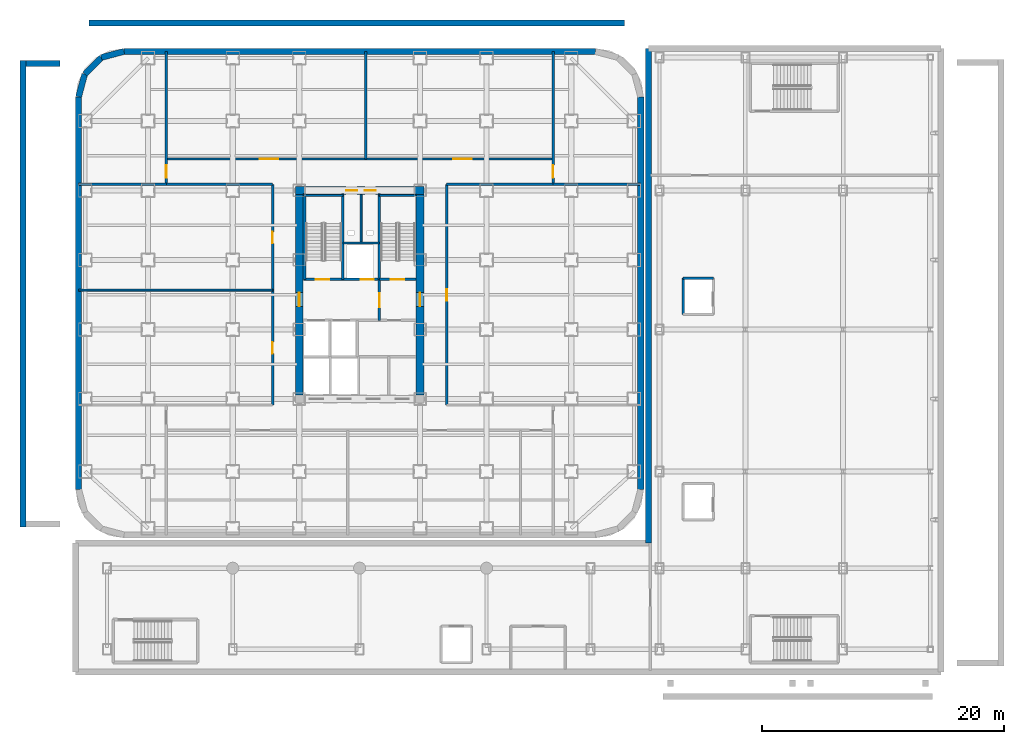
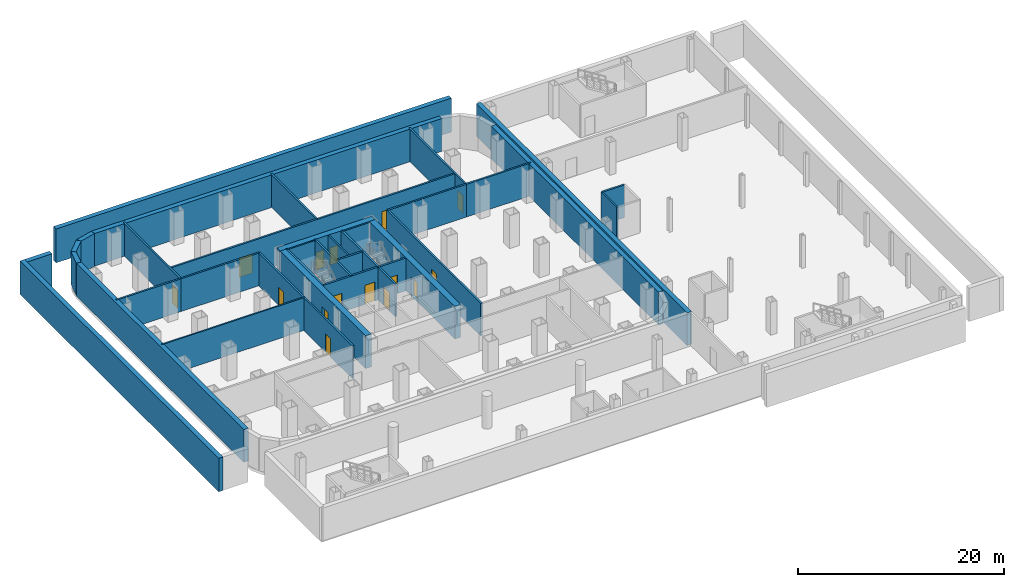
# One storey, part 9 of 16: 36 walls, 15 doors, 15 openings.
"""IFC4 building model written with IfcOpenShell, lengths in metres."""

from ifc_helpers import new_model, si_unit, direction, frame, frame_2d, origin, place, context, subcontext, project, spatial, rectangle, extrude, material, layer, layer_set, type_object, element, fill, save


model = new_model("IFC4")

# Units and contexts
model_context = context("Model", 3, precision=1e-05, world=origin(), true_north=direction((0.0, 1.0)))
body_context = subcontext(model_context, "Body", "Model", "MODEL_VIEW")
ifc_project = project(units=[si_unit("LENGTHUNIT", "METRE"), si_unit("AREAUNIT", "SQUARE_METRE"), si_unit("VOLUMEUNIT", "CUBIC_METRE"), si_unit("PLANEANGLEUNIT", "RADIAN"), si_unit("MASSUNIT", "GRAM", prefix="KILO")], contexts=[model_context])

# Site, building, storey
site_placement = place(None, origin())
site = spatial("IfcSite", under=ifc_project, at=site_placement, CompositionType="ELEMENT")
building_placement = place(site_placement, origin())
building = spatial("IfcBuilding", under=site, at=building_placement, Name="Kolveth Station Tower", CompositionType="ELEMENT")
storey_placement = place(building_placement, frame((0.0, 0.0, -4.199951171875)))
storey = spatial("IfcBuildingStorey", under=building, at=storey_placement, Name="B1", CompositionType="ELEMENT", Elevation=-4.199951171875)

# Wall, openings, doors
ifc_material_1 = material(Name="Concrete C60/75", Category="concrete")
ifc_layer_1 = layer(ifc_material_1, 0.64990234375)
ifc_layer_set_1 = layer_set([ifc_layer_1], Name="Concrete C60/75")
wall_type_1 = type_object("IfcWallType", Name="Wall_CW-650", PredefinedType="SHEAR", material=ifc_layer_set_1)
wall_1_placement = place(storey_placement, frame((18.175048828125, 28.75, 0.0), z_axis=(0.0, 0.0, 1.0), x_axis=(1.0, 0.0, 0.0)))
wall_1 = element("IfcWall", 1, at=wall_1_placement, inside=storey, type_object=wall_type_1, Name="B1 Core RC Shear Wall N", PredefinedType="SHEAR", context=body_context, shape_type="SweptSolid", body=[
    extrude(rectangle(XDim=10.64990234375, YDim=0.64990234375, at=frame_2d((5.324951171875, 0.0))), origin(), (0.0, 0.0, 1.0), 3.8798828125),
])
opening_1_placement = place(wall_1_placement, frame((4.205078125, 0.0, 0.0)))
opening_1 = element("IfcOpeningElement", 2, at=opening_1_placement, cuts=wall_1, Name="Opening RD1", PredefinedType="OPENING", context=body_context, shape_type="SweptSolid", body=[
    extrude(rectangle(XDim=0.89990234375, YDim=2.050048828125, at=frame_2d((0.449951171875, 1.02490234375))), frame((0.0, 0.3349609375, 0.0), z_axis=(0.0, -1.0, 0.0), x_axis=(1.0, 0.0, 0.0)), (0.0, 0.0, 1.0), 0.669921875),
])
opening_2_placement = place(wall_1_placement, frame((5.7451171875, 0.0, 0.0)))
opening_2 = element("IfcOpeningElement", 3, at=opening_2_placement, cuts=wall_1, Name="Opening RD1", PredefinedType="OPENING", context=body_context, shape_type="SweptSolid", body=[
    extrude(rectangle(XDim=0.89990234375, YDim=2.050048828125, at=frame_2d((0.449951171875, 1.02490234375))), frame((0.0, 0.3349609375, 0.0), z_axis=(0.0, -1.0, 0.0), x_axis=(1.0, 0.0, 0.0)), (0.0, 0.0, 1.0), 0.669921875),
])
ifc_material_2 = material(Name="Fire-rated Steel S355 riser access leaf", Category="steel")
door_type_1 = type_object("IfcDoorType", Name="Door_RD1", OperationType="NOTDEFINED", PredefinedType="DOOR", material=ifc_material_2)
door_1_placement = place(opening_1_placement, origin())
door_1 = element("IfcDoor", 4, at=door_1_placement, inside=storey, type_object=door_type_1, Name="B1 Electrical Riser Access Door", OperationType="SINGLE_SWING_RIGHT", OverallHeight=2.050048828125, OverallWidth=0.89990234375, PredefinedType="DOOR", context=body_context, shape_type="SweptSolid", body=[
    extrude(rectangle(XDim=0.89990234375, YDim=2.050048828125, at=frame_2d((0.449951171875, 1.02490234375))), frame((0.0, 0.02490234375, 0.0), z_axis=(0.0, -1.0, 0.0), x_axis=(1.0, 0.0, 0.0)), (0.0, 0.0, 1.0), 0.050048828125),
])
fill(opening_1, door_1)
door_2_placement = place(opening_2_placement, origin())
door_2 = element("IfcDoor", 5, at=door_2_placement, inside=storey, type_object=door_type_1, Name="B1 Smoke Duct Access Door", OperationType="SINGLE_SWING_LEFT", OverallHeight=2.050048828125, OverallWidth=0.89990234375, PredefinedType="DOOR", context=body_context, shape_type="SweptSolid", body=[
    extrude(rectangle(XDim=0.89990234375, YDim=2.050048828125, at=frame_2d((0.449951171875, 1.02490234375))), frame((0.0, 0.02490234375, 0.0), z_axis=(0.0, -1.0, 0.0), x_axis=(1.0, 0.0, 0.0)), (0.0, 0.0, 1.0), 0.050048828125),
])
fill(opening_2, door_2)

# Wall, opening, door
wall_2_placement = place(storey_placement, frame((18.5, 11.824951171875, 0.0), z_axis=(0.0, 0.0, 1.0), x_axis=(0.0, 1.0, 0.0)))
wall_2 = element("IfcWall", 6, at=wall_2_placement, inside=storey, type_object=wall_type_1, Name="B1 Core RC Shear Wall W", PredefinedType="SHEAR", context=body_context, shape_type="SweptSolid", body=[
    extrude(rectangle(XDim=16.60009765625, YDim=0.64990234375, at=frame_2d((8.300048828125, 0.0))), origin(), (0.0, 0.0, 1.0), 3.8798828125),
])
opening_3_placement = place(wall_2_placement, frame((7.324951171875, 0.0, 0.0)))
opening_3 = element("IfcOpeningElement", 7, at=opening_3_placement, cuts=wall_2, Name="Opening FD1", PredefinedType="OPENING", context=body_context, shape_type="SweptSolid", body=[
    extrude(rectangle(XDim=1.14990234375, YDim=2.199951171875, at=frame_2d((0.574951171875, 1.10009765625))), frame((0.0, 0.3349609375, 0.0), z_axis=(0.0, -1.0, 0.0), x_axis=(1.0, 0.0, 0.0)), (0.0, 0.0, 1.0), 0.669921875),
])
ifc_material_3 = material(Name="Fire-rated Steel S355 leaf and frame", Category="steel")
door_type_2 = type_object("IfcDoorType", Name="Door_FD1", OperationType="NOTDEFINED", PredefinedType="DOOR", material=ifc_material_3)
door_3_placement = place(opening_3_placement, frame((1.14990234375, 0.0, 0.0), z_axis=(0.0, 0.0, 1.0), x_axis=(-1.0, 0.0, 0.0)))
door_3 = element("IfcDoor", 8, at=door_3_placement, inside=storey, type_object=door_type_2, Name="B1 West Corridor to Firefighting Lobby Door", OperationType="SINGLE_SWING_RIGHT", OverallHeight=2.199951171875, OverallWidth=1.14990234375, PredefinedType="DOOR", context=body_context, shape_type="SweptSolid", body=[
    extrude(rectangle(XDim=1.14990234375, YDim=2.199951171875, at=frame_2d((0.574951171875, 1.10009765625))), frame((0.0, 0.02490234375, 0.0), z_axis=(0.0, -1.0, 0.0), x_axis=(1.0, 0.0, 0.0)), (0.0, 0.0, 1.0), 0.050048828125),
])
fill(opening_3, door_3)

wall_3_placement = place(storey_placement, frame((28.5, 11.824951171875, 0.0), z_axis=(0.0, 0.0, 1.0), x_axis=(0.0, 1.0, 0.0)))
wall_3 = element("IfcWall", 9, at=wall_3_placement, inside=storey, type_object=wall_type_1, Name="B1 Core RC Shear Wall E", PredefinedType="SHEAR", context=body_context, shape_type="SweptSolid", body=[
    extrude(rectangle(XDim=16.60009765625, YDim=0.64990234375, at=frame_2d((8.300048828125, 0.0))), origin(), (0.0, 0.0, 1.0), 3.8798828125),
])
opening_4_placement = place(wall_3_placement, frame((7.324951171875, 0.0, 0.0)))
opening_4 = element("IfcOpeningElement", 10, at=opening_4_placement, cuts=wall_3, Name="Opening FD1", PredefinedType="OPENING", context=body_context, shape_type="SweptSolid", body=[
    extrude(rectangle(XDim=1.14990234375, YDim=2.199951171875, at=frame_2d((0.574951171875, 1.10009765625))), frame((0.0, 0.3349609375, 0.0), z_axis=(0.0, -1.0, 0.0), x_axis=(1.0, 0.0, 0.0)), (0.0, 0.0, 1.0), 0.669921875),
])
door_4_placement = place(opening_4_placement, origin())
door_4 = element("IfcDoor", 11, at=door_4_placement, inside=storey, type_object=door_type_2, Name="B1 East Corridor to Stair Lobby Door", OperationType="SINGLE_SWING_LEFT", OverallHeight=2.199951171875, OverallWidth=1.14990234375, PredefinedType="DOOR", context=body_context, shape_type="SweptSolid", body=[
    extrude(rectangle(XDim=1.14990234375, YDim=2.199951171875, at=frame_2d((0.574951171875, 1.10009765625))), frame((0.0, 0.02490234375, 0.0), z_axis=(0.0, -1.0, 0.0), x_axis=(1.0, 0.0, 0.0)), (0.0, 0.0, 1.0), 0.050048828125),
])
fill(opening_4, door_4)

# Walls
ifc_material_4 = material(Name="Acoustic double-stud gypsum partition")
ifc_layer_2 = layer(ifc_material_4, 0.1650390625)
ifc_layer_set_2 = layer_set([ifc_layer_2], Name="Acoustic double-stud gypsum partition")
wall_type_2 = type_object("IfcWallType", Name="Wall_IW-165", PredefinedType="PARTITIONING", material=ifc_layer_set_2)
wall_4_placement = place(storey_placement, frame((18.8349609375, 28.3349609375, 0.0), z_axis=(0.0, 0.0, 1.0), x_axis=(1.0, 0.0, 0.0)))
element("IfcWall", 12, at=wall_4_placement, inside=storey, type_object=wall_type_2, Name="B1 Stair Shaft Wall WL-B1-ST1-N", PredefinedType="PARTITIONING", context=body_context, shape_type="SweptSolid", body=[
    extrude(rectangle(XDim=3.275146484375, YDim=0.1650390625, at=frame_2d((1.6376953125, 0.0))), origin(), (0.0, 0.0, 1.0), 3.8798828125),
])
wall_5_placement = place(storey_placement, frame((25.1298828125, 28.3349609375, 0.0), z_axis=(0.0, 0.0, 1.0), x_axis=(1.0, 0.0, 0.0)))
element("IfcWall", 13, at=wall_5_placement, inside=storey, type_object=wall_type_2, Name="B1 Stair Shaft Wall WL-B1-ST2-N", PredefinedType="PARTITIONING", context=body_context, shape_type="SweptSolid", body=[
    extrude(rectangle(XDim=3.03515625, YDim=0.1650390625, at=frame_2d((1.517578125, 0.0))), origin(), (0.0, 0.0, 1.0), 3.8798828125),
])
wall_6_placement = place(storey_placement, frame((23.6201171875, 24.39990234375, 0.0), z_axis=(0.0, 0.0, 1.0), x_axis=(0.0, 1.0, 0.0)))
element("IfcWall", 14, at=wall_6_placement, inside=storey, type_object=wall_type_2, Name="B1 Partition Wall WL-B1-RSR-M", PredefinedType="PARTITIONING", context=body_context, shape_type="SweptSolid", body=[
    extrude(rectangle(XDim=4.01513671875, YDim=0.1650390625, at=frame_2d((2.007568359375, 0.0))), origin(), (0.0, 0.0, 1.0), 3.8798828125),
])
wall_7_placement = place(storey_placement, frame((0.25, 20.5, 0.0), z_axis=(0.0, 0.0, 1.0), x_axis=(1.0, 0.0, 0.0)))
element("IfcWall", 15, at=wall_7_placement, inside=storey, type_object=wall_type_2, Name="B1 Partition Wall WL-B1-TPW-P1", PredefinedType="PARTITIONING", context=body_context, shape_type="SweptSolid", body=[
    extrude(rectangle(XDim=16.050048828125, YDim=0.1650390625, at=frame_2d((8.02490234375, 0.0))), origin(), (0.0, 0.0, 1.0), 3.8798828125),
])
ifc_material_5 = material(Name="Acoustic fire-rated gypsum blockwork", Category="masonry")
ifc_layer_3 = layer(ifc_material_5, 0.199951171875)
ifc_layer_set_3 = layer_set([ifc_layer_3], Name="Acoustic fire-rated gypsum blockwork")
wall_type_3 = type_object("IfcWallType", Name="Wall_IW-200", PredefinedType="PARTITIONING", material=ifc_layer_set_3)
wall_8_placement = place(storey_placement, frame((22.110107421875, 24.39990234375, 0.0), z_axis=(0.0, 0.0, 1.0), x_axis=(1.0, 0.0, 0.0)))
element("IfcWall", 16, at=wall_8_placement, inside=storey, type_object=wall_type_3, Name="B1 Partition Wall WL-B1-RSR-S", PredefinedType="PARTITIONING", context=body_context, shape_type="SweptSolid", body=[
    extrude(rectangle(XDim=3.019775390625, YDim=0.199951171875, at=frame_2d((1.509765625, 0.0))), origin(), (0.0, 0.0, 1.0), 3.8798828125),
])

# Wall, opening, door
wall_9_placement = place(storey_placement, frame((25.1298828125, 18.0, 0.0), z_axis=(0.0, 0.0, 1.0), x_axis=(0.0, 1.0, 0.0)))
wall_9 = element("IfcWall", 17, at=wall_9_placement, inside=storey, type_object=wall_type_3, Name="B1 Partition Wall WL-B1-FFL-E", PredefinedType="PARTITIONING", context=body_context, shape_type="SweptSolid", body=[
    extrude(rectangle(XDim=3.389892578125, YDim=0.199951171875, at=frame_2d((1.69482421875, 0.0))), origin(), (0.0, 0.0, 1.0), 3.8798828125),
])
opening_5_placement = place(wall_9_placement, frame((1.10009765625, 0.0, 0.0)))
opening_5 = element("IfcOpeningElement", 18, at=opening_5_placement, cuts=wall_9, Name="Opening FD1", PredefinedType="OPENING", context=body_context, shape_type="SweptSolid", body=[
    extrude(rectangle(XDim=1.14990234375, YDim=2.199951171875, at=frame_2d((0.574951171875, 1.10009765625))), frame((0.0, 0.10986328125, 0.0), z_axis=(0.0, -1.0, 0.0), x_axis=(1.0, 0.0, 0.0)), (0.0, 0.0, 1.0), 0.219970703125),
])
door_5_placement = place(opening_5_placement, origin())
door_5 = element("IfcDoor", 19, at=door_5_placement, inside=storey, type_object=door_type_2, Name="B1 Firefighting to Stair Lobby Door", OperationType="SINGLE_SWING_RIGHT", OverallHeight=2.199951171875, OverallWidth=1.14990234375, PredefinedType="DOOR", context=body_context, shape_type="SweptSolid", body=[
    extrude(rectangle(XDim=1.14990234375, YDim=2.199951171875, at=frame_2d((0.574951171875, 1.10009765625))), frame((0.0, 0.02490234375, 0.0), z_axis=(0.0, -1.0, 0.0), x_axis=(1.0, 0.0, 0.0)), (0.0, 0.0, 1.0), 0.050048828125),
])
fill(opening_5, door_5)

# Wall, openings, doors
wall_10_placement = place(storey_placement, frame((7.5, 31.35009765625, 0.0), z_axis=(0.0, 0.0, 1.0), x_axis=(1.0, 0.0, 0.0)))
wall_10 = element("IfcWall", 20, at=wall_10_placement, inside=storey, type_object=wall_type_3, Name="B1 Partition Wall WL-B1-BN", PredefinedType="PARTITIONING", context=body_context, shape_type="SweptSolid", body=[
    extrude(rectangle(XDim=32.0, YDim=0.199951171875, at=frame_2d((16.0, 0.0))), origin(), (0.0, 0.0, 1.0), 3.8798828125),
])
opening_6_placement = place(wall_10_placement, frame((7.75, 0.0, 0.0)))
opening_6 = element("IfcOpeningElement", 21, at=opening_6_placement, cuts=wall_10, Name="Opening FD4", PredefinedType="OPENING", context=body_context, shape_type="SweptSolid", body=[
    extrude(rectangle(XDim=1.5, YDim=2.25, at=frame_2d((0.75, 1.125))), frame((0.0, 0.10986328125, 0.0), z_axis=(0.0, -1.0, 0.0), x_axis=(1.0, 0.0, 0.0)), (0.0, 0.0, 1.0), 0.219970703125),
])
opening_7_placement = place(wall_10_placement, frame((23.75, 0.0, 0.0)))
opening_7 = element("IfcOpeningElement", 22, at=opening_7_placement, cuts=wall_10, Name="Opening FD4", PredefinedType="OPENING", context=body_context, shape_type="SweptSolid", body=[
    extrude(rectangle(XDim=1.5, YDim=2.25, at=frame_2d((0.75, 1.125))), frame((0.0, 0.10986328125, 0.0), z_axis=(0.0, -1.0, 0.0), x_axis=(1.0, 0.0, 0.0)), (0.0, 0.0, 1.0), 0.219970703125),
])
ifc_material_6 = material(Name="Fire-rated double Steel S355 leaf", Category="steel")
door_type_3 = type_object("IfcDoorType", Name="Door_FD4", OperationType="NOTDEFINED", PredefinedType="DOOR", material=ifc_material_6)
door_6_placement = place(opening_6_placement, origin())
door_6 = element("IfcDoor", 23, at=door_6_placement, inside=storey, type_object=door_type_3, Name="B1 Standby Generator Plant Room Door", OperationType="SINGLE_SWING_LEFT", OverallHeight=2.25, OverallWidth=1.5, PredefinedType="DOOR", context=body_context, shape_type="SweptSolid", body=[
    extrude(rectangle(XDim=1.5, YDim=2.25, at=frame_2d((0.75, 1.125))), frame((0.0, 0.02490234375, 0.0), z_axis=(0.0, -1.0, 0.0), x_axis=(1.0, 0.0, 0.0)), (0.0, 0.0, 1.0), 0.050048828125),
])
fill(opening_6, door_6)
door_7_placement = place(opening_7_placement, origin())
door_7 = element("IfcDoor", 24, at=door_7_placement, inside=storey, type_object=door_type_3, Name="B1 Medium Voltage Switchgear Room Door", OperationType="SINGLE_SWING_RIGHT", OverallHeight=2.25, OverallWidth=1.5, PredefinedType="DOOR", context=body_context, shape_type="SweptSolid", body=[
    extrude(rectangle(XDim=1.5, YDim=2.25, at=frame_2d((0.75, 1.125))), frame((0.0, 0.02490234375, 0.0), z_axis=(0.0, -1.0, 0.0), x_axis=(1.0, 0.0, 0.0)), (0.0, 0.0, 1.0), 0.050048828125),
])
fill(opening_7, door_7)

# Walls
for number, where, z_axis, x_axis, name in (
    (25, (7.5, 29.25, 0.0), (0.0, 0.0, 1.0), (1.0, 0.0, 0.0), "B1 Partition Wall WL-B1-BNWB"),
    (26, (30.699951171875, 29.25, 0.0), (0.0, 0.0, 1.0), (1.0, 0.0, 0.0), "B1 Partition Wall WL-B1-BNEB"),
):
    element("IfcWall", number, at=place(storey_placement, frame(where, z_axis=z_axis, x_axis=x_axis)), inside=storey, type_object=wall_type_3, Name=name, PredefinedType="PARTITIONING", context=body_context, shape_type="SweptSolid", body=[
        extrude(rectangle(XDim=8.800048828125, YDim=0.199951171875, at=frame_2d((4.39990234375, 0.0))), origin(), (0.0, 0.0, 1.0), 3.8798828125),
    ])

# Wall, openings, doors
wall_11_placement = place(storey_placement, frame((16.300048828125, 11.0, 0.0), z_axis=(0.0, 0.0, 1.0), x_axis=(0.0, 1.0, 0.0)))
wall_11 = element("IfcWall", 27, at=wall_11_placement, inside=storey, type_object=wall_type_3, Name="B1 Partition Wall WL-B1-BW", PredefinedType="PARTITIONING", context=body_context, shape_type="SweptSolid", body=[
    extrude(rectangle(XDim=18.25, YDim=0.199951171875, at=frame_2d((9.125, 0.0))), origin(), (0.0, 0.0, 1.0), 3.8798828125),
])
opening_8_placement = place(wall_11_placement, frame((4.25, 0.0, 0.0)))
opening_8 = element("IfcOpeningElement", 28, at=opening_8_placement, cuts=wall_11, Name="Opening ID1", PredefinedType="OPENING", context=body_context, shape_type="SweptSolid", body=[
    extrude(rectangle(XDim=0.949951171875, YDim=2.14990234375, at=frame_2d((0.47509765625, 1.074951171875))), frame((0.0, 0.10986328125, 0.0), z_axis=(0.0, -1.0, 0.0), x_axis=(1.0, 0.0, 0.0)), (0.0, 0.0, 1.0), 0.219970703125),
])
opening_9_placement = place(wall_11_placement, frame((13.375, 0.0, 0.0)))
opening_9 = element("IfcOpeningElement", 29, at=opening_9_placement, cuts=wall_11, Name="Opening ID1", PredefinedType="OPENING", context=body_context, shape_type="SweptSolid", body=[
    extrude(rectangle(XDim=0.949951171875, YDim=2.14990234375, at=frame_2d((0.47509765625, 1.074951171875))), frame((0.0, 0.10986328125, 0.0), z_axis=(0.0, -1.0, 0.0), x_axis=(1.0, 0.0, 0.0)), (0.0, 0.0, 1.0), 0.219970703125),
])
ifc_material_7 = material(Name="Acoustic hardwood leaf and aluminium frame", Category="wood")
door_type_4 = type_object("IfcDoorType", Name="Door_ID1", OperationType="NOTDEFINED", PredefinedType="DOOR", material=ifc_material_7)
door_8_placement = place(opening_8_placement, frame((0.949951171875, 0.0, 0.0), z_axis=(0.0, 0.0, 1.0), x_axis=(-1.0, 0.0, 0.0)))
door_8 = element("IfcDoor", 30, at=door_8_placement, inside=storey, type_object=door_type_4, Name="B1 Auxiliary MEP Plant Room West 1 Door", OperationType="SINGLE_SWING_LEFT", OverallHeight=2.14990234375, OverallWidth=0.949951171875, PredefinedType="DOOR", context=body_context, shape_type="SweptSolid", body=[
    extrude(rectangle(XDim=0.949951171875, YDim=2.14990234375, at=frame_2d((0.47509765625, 1.074951171875))), frame((0.0, 0.02490234375, 0.0), z_axis=(0.0, -1.0, 0.0), x_axis=(1.0, 0.0, 0.0)), (0.0, 0.0, 1.0), 0.050048828125),
])
fill(opening_8, door_8)
door_9_placement = place(opening_9_placement, frame((0.949951171875, 0.0, 0.0), z_axis=(0.0, 0.0, 1.0), x_axis=(-1.0, 0.0, 0.0)))
door_9 = element("IfcDoor", 31, at=door_9_placement, inside=storey, type_object=door_type_4, Name="B1 Air Handling Plant Room Door", OperationType="SINGLE_SWING_RIGHT", OverallHeight=2.14990234375, OverallWidth=0.949951171875, PredefinedType="DOOR", context=body_context, shape_type="SweptSolid", body=[
    extrude(rectangle(XDim=0.949951171875, YDim=2.14990234375, at=frame_2d((0.47509765625, 1.074951171875))), frame((0.0, 0.02490234375, 0.0), z_axis=(0.0, -1.0, 0.0), x_axis=(1.0, 0.0, 0.0)), (0.0, 0.0, 1.0), 0.050048828125),
])
fill(opening_9, door_9)

# Wall, opening, door
wall_12_placement = place(storey_placement, frame((30.699951171875, 11.0, 0.0), z_axis=(0.0, 0.0, 1.0), x_axis=(0.0, 1.0, 0.0)))
wall_12 = element("IfcWall", 32, at=wall_12_placement, inside=storey, type_object=wall_type_3, Name="B1 Partition Wall WL-B1-BE", PredefinedType="PARTITIONING", context=body_context, shape_type="SweptSolid", body=[
    extrude(rectangle(XDim=18.25, YDim=0.199951171875, at=frame_2d((9.125, 0.0))), origin(), (0.0, 0.0, 1.0), 3.8798828125),
])
opening_10_placement = place(wall_12_placement, frame((8.625, 0.0, 0.0)))
opening_10 = element("IfcOpeningElement", 33, at=opening_10_placement, cuts=wall_12, Name="Opening ID1", PredefinedType="OPENING", context=body_context, shape_type="SweptSolid", body=[
    extrude(rectangle(XDim=0.949951171875, YDim=2.14990234375, at=frame_2d((0.47509765625, 1.074951171875))), frame((0.0, 0.10986328125, 0.0), z_axis=(0.0, -1.0, 0.0), x_axis=(1.0, 0.0, 0.0)), (0.0, 0.0, 1.0), 0.219970703125),
])
door_10_placement = place(opening_10_placement, origin())
door_10 = element("IfcDoor", 34, at=door_10_placement, inside=storey, type_object=door_type_4, Name="B1 Auxiliary MEP Plant Room East Door", OperationType="SINGLE_SWING_LEFT", OverallHeight=2.14990234375, OverallWidth=0.949951171875, PredefinedType="DOOR", context=body_context, shape_type="SweptSolid", body=[
    extrude(rectangle(XDim=0.949951171875, YDim=2.14990234375, at=frame_2d((0.47509765625, 1.074951171875))), frame((0.0, 0.02490234375, 0.0), z_axis=(0.0, -1.0, 0.0), x_axis=(1.0, 0.0, 0.0)), (0.0, 0.0, 1.0), 0.050048828125),
])
fill(opening_10, door_10)

wall_13_placement = place(storey_placement, frame((7.5, 29.25, 0.0), z_axis=(0.0, 0.0, 1.0), x_axis=(0.0, 1.0, 0.0)))
wall_13 = element("IfcWall", 35, at=wall_13_placement, inside=storey, type_object=wall_type_3, Name="B1 Partition Wall WL-B1-BWN", PredefinedType="PARTITIONING", context=body_context, shape_type="SweptSolid", body=[
    extrude(rectangle(XDim=11.0, YDim=0.199951171875, at=frame_2d((5.5, 0.0))), origin(), (0.0, 0.0, 1.0), 3.8798828125),
])
opening_11_placement = place(wall_13_placement, frame((0.550048828125, 0.0, 0.0)))
opening_11 = element("IfcOpeningElement", 36, at=opening_11_placement, cuts=wall_13, Name="Opening FD2", PredefinedType="OPENING", context=body_context, shape_type="SweptSolid", body=[
    extrude(rectangle(XDim=1.050048828125, YDim=2.14990234375, at=frame_2d((0.52490234375, 1.074951171875))), frame((0.0, 0.10986328125, 0.0), z_axis=(0.0, -1.0, 0.0), x_axis=(1.0, 0.0, 0.0)), (0.0, 0.0, 1.0), 0.219970703125),
])
door_type_5 = type_object("IfcDoorType", Name="Door_FD2", OperationType="NOTDEFINED", PredefinedType="DOOR", material=ifc_material_3)
door_11_placement = place(opening_11_placement, frame((1.050048828125, 0.0, 0.0), z_axis=(0.0, 0.0, 1.0), x_axis=(-1.0, 0.0, 0.0)))
door_11 = element("IfcDoor", 37, at=door_11_placement, inside=storey, type_object=door_type_5, Name="B1 Auxiliary MEP Plant Room CNW Door", OperationType="SINGLE_SWING_RIGHT", OverallHeight=2.14990234375, OverallWidth=1.050048828125, PredefinedType="DOOR", context=body_context, shape_type="SweptSolid", body=[
    extrude(rectangle(XDim=1.050048828125, YDim=2.14990234375, at=frame_2d((0.52490234375, 1.074951171875))), frame((0.0, 0.02490234375, 0.0), z_axis=(0.0, -1.0, 0.0), x_axis=(1.0, 0.0, 0.0)), (0.0, 0.0, 1.0), 0.050048828125),
])
fill(opening_11, door_11)

wall_14_placement = place(storey_placement, frame((39.5, 29.25, 0.0), z_axis=(0.0, 0.0, 1.0), x_axis=(0.0, 1.0, 0.0)))
wall_14 = element("IfcWall", 38, at=wall_14_placement, inside=storey, type_object=wall_type_3, Name="B1 Partition Wall WL-B1-BEN", PredefinedType="PARTITIONING", context=body_context, shape_type="SweptSolid", body=[
    extrude(rectangle(XDim=11.0, YDim=0.199951171875, at=frame_2d((5.5, 0.0))), origin(), (0.0, 0.0, 1.0), 3.8798828125),
])
opening_12_placement = place(wall_14_placement, frame((0.550048828125, 0.0, 0.0)))
opening_12 = element("IfcOpeningElement", 39, at=opening_12_placement, cuts=wall_14, Name="Opening FD2", PredefinedType="OPENING", context=body_context, shape_type="SweptSolid", body=[
    extrude(rectangle(XDim=1.050048828125, YDim=2.14990234375, at=frame_2d((0.52490234375, 1.074951171875))), frame((0.0, 0.10986328125, 0.0), z_axis=(0.0, -1.0, 0.0), x_axis=(1.0, 0.0, 0.0)), (0.0, 0.0, 1.0), 0.219970703125),
])
door_12_placement = place(opening_12_placement, origin())
door_12 = element("IfcDoor", 40, at=door_12_placement, inside=storey, type_object=door_type_5, Name="B1 Auxiliary MEP Plant Room CNE Door", OperationType="SINGLE_SWING_LEFT", OverallHeight=2.14990234375, OverallWidth=1.050048828125, PredefinedType="DOOR", context=body_context, shape_type="SweptSolid", body=[
    extrude(rectangle(XDim=1.050048828125, YDim=2.14990234375, at=frame_2d((0.52490234375, 1.074951171875))), frame((0.0, 0.02490234375, 0.0), z_axis=(0.0, -1.0, 0.0), x_axis=(1.0, 0.0, 0.0)), (0.0, 0.0, 1.0), 0.050048828125),
])
fill(opening_12, door_12)

# Walls
for number, where, z_axis, x_axis, name in (
    (41, (0.25, 29.25, 0.0), (0.0, 0.0, 1.0), (1.0, 0.0, 0.0), "B1 Partition Wall WL-B1-BWM2"),
    (42, (39.5, 29.25, 0.0), (0.0, 0.0, 1.0), (1.0, 0.0, 0.0), "B1 Partition Wall WL-B1-BEM2"),
):
    element("IfcWall", number, at=place(storey_placement, frame(where, z_axis=z_axis, x_axis=x_axis)), inside=storey, type_object=wall_type_3, Name=name, PredefinedType="PARTITIONING", context=body_context, shape_type="SweptSolid", body=[
        extrude(rectangle(XDim=7.25, YDim=0.199951171875, at=frame_2d((3.625, 0.0))), origin(), (0.0, 0.0, 1.0), 3.8798828125),
    ])
wall_15_placement = place(storey_placement, frame((24.0, 31.35009765625, 0.0), z_axis=(0.0, 0.0, 1.0), x_axis=(0.0, 1.0, 0.0)))
element("IfcWall", 43, at=wall_15_placement, inside=storey, type_object=wall_type_3, Name="B1 Partition Wall WL-B1-TBN-P1", PredefinedType="PARTITIONING", context=body_context, shape_type="SweptSolid", body=[
    extrude(rectangle(XDim=8.89990234375, YDim=0.199951171875, at=frame_2d((4.449951171875, 0.0))), origin(), (0.0, 0.0, 1.0), 3.8798828125),
])
wall_16_placement = place(storey_placement, frame((50.25, 21.5, 0.0), z_axis=(0.0, 0.0, 1.0), x_axis=(1.0, 0.0, 0.0)))
element("IfcWall", 44, at=wall_16_placement, inside=storey, type_object=wall_type_3, Name="B1 Partition Wall WL-B1-SL2-N", PredefinedType="PARTITIONING", context=body_context, shape_type="SweptSolid", body=[
    extrude(rectangle(XDim=2.5, YDim=0.199951171875, at=frame_2d((1.25, 0.0))), origin(), (0.0, 0.0, 1.0), 3.8798828125),
])
wall_17_placement = place(storey_placement, frame((50.25, 18.5, 0.0), z_axis=(0.0, 0.0, 1.0), x_axis=(0.0, 1.0, 0.0)))
element("IfcWall", 45, at=wall_17_placement, inside=storey, type_object=wall_type_3, Name="B1 Partition Wall WL-B1-SL2-W", PredefinedType="PARTITIONING", context=body_context, shape_type="SweptSolid", body=[
    extrude(rectangle(XDim=3.0, YDim=0.199951171875, at=frame_2d((1.5, 0.0))), origin(), (0.0, 0.0, 1.0), 3.8798828125),
])
ifc_material_8 = material(Name="Concrete C40/50", Category="concrete")
ifc_layer_4 = layer(ifc_material_8, 0.219970703125)
ifc_layer_set_4 = layer_set([ifc_layer_4], Name="Concrete C40/50")
wall_type_4 = type_object("IfcWallType", Name="Wall_IW-220", PredefinedType="SOLIDWALL", material=ifc_layer_set_4)
for number, where, z_axis, x_axis, name in (
    (46, (18.929931640625, 21.389892578125, 0.0), (0.0, 0.0, 1.0), (0.0, 1.0, 0.0), "B1 Stair Shaft Wall WL-B1-ST1-W"),
    (47, (22.110107421875, 21.389892578125, 0.0), (0.0, 0.0, 1.0), (0.0, 1.0, 0.0), "B1 Stair Shaft Wall WL-B1-ST1-E"),
    (48, (25.1298828125, 21.389892578125, 0.0), (0.0, 0.0, 1.0), (0.0, 1.0, 0.0), "B1 Stair Shaft Wall WL-B1-ST2-W"),
):
    element("IfcWall", number, at=place(storey_placement, frame(where, z_axis=z_axis, x_axis=x_axis)), inside=storey, type_object=wall_type_4, Name=name, PredefinedType="SOLIDWALL", context=body_context, shape_type="SweptSolid", body=[
        extrude(rectangle(XDim=7.110107421875, YDim=0.219970703125, at=frame_2d((3.55517578125, 0.0))), origin(), (0.0, 0.0, 1.0), 3.8798828125),
    ])

# Wall, openings, doors
wall_18_placement = place(storey_placement, frame((18.8349609375, 21.389892578125, 0.0), z_axis=(0.0, 0.0, 1.0), x_axis=(1.0, 0.0, 0.0)))
wall_18 = element("IfcWall", 49, at=wall_18_placement, inside=storey, type_object=wall_type_4, Name="B1 Stair Shaft Wall WL-B1-ST1-S", PredefinedType="SOLIDWALL", context=body_context, shape_type="SweptSolid", body=[
    extrude(rectangle(XDim=6.294921875, YDim=0.219970703125, at=frame_2d((3.1474609375, 0.0))), origin(), (0.0, 0.0, 1.0), 3.8798828125),
])
opening_13_placement = place(wall_18_placement, frame((1.014892578125, 0.0, 0.0)))
opening_13 = element("IfcOpeningElement", 50, at=opening_13_placement, cuts=wall_18, Name="Opening FD1", PredefinedType="OPENING", context=body_context, shape_type="SweptSolid", body=[
    extrude(rectangle(XDim=1.14990234375, YDim=2.199951171875, at=frame_2d((0.574951171875, 1.10009765625))), frame((0.0, 0.119873046875, 0.0), z_axis=(0.0, -1.0, 0.0), x_axis=(1.0, 0.0, 0.0)), (0.0, 0.0, 1.0), 0.239990234375),
])
opening_14_placement = place(wall_18_placement, frame((4.7451171875, 0.0, 0.0)))
opening_14 = element("IfcOpeningElement", 51, at=opening_14_placement, cuts=wall_18, Name="Opening LD1", PredefinedType="OPENING", context=body_context, shape_type="SweptSolid", body=[
    extrude(rectangle(XDim=1.10009765625, YDim=2.25, at=frame_2d((0.550048828125, 1.125))), frame((0.0, 0.119873046875, 0.0), z_axis=(0.0, -1.0, 0.0), x_axis=(1.0, 0.0, 0.0)), (0.0, 0.0, 1.0), 0.239990234375),
])
door_13_placement = place(opening_13_placement, frame((1.14990234375, 0.0, 0.0), z_axis=(0.0, 0.0, 1.0), x_axis=(-1.0, 0.0, 0.0)))
door_13 = element("IfcDoor", 52, at=door_13_placement, inside=storey, type_object=door_type_2, Name="B1 Stair ST1 Fire Door", OperationType="SINGLE_SWING_RIGHT", OverallHeight=2.199951171875, OverallWidth=1.14990234375, PredefinedType="DOOR", context=body_context, shape_type="SweptSolid", body=[
    extrude(rectangle(XDim=1.14990234375, YDim=2.199951171875, at=frame_2d((0.574951171875, 1.10009765625))), frame((0.0, 0.02490234375, 0.0), z_axis=(0.0, -1.0, 0.0), x_axis=(1.0, 0.0, 0.0)), (0.0, 0.0, 1.0), 0.050048828125),
])
fill(opening_13, door_13)
ifc_material_9 = material(Name="Brushed stainless steel sliding landing doors", Category="steel")
door_type_6 = type_object("IfcDoorType", Name="Door_LD1", OperationType="NOTDEFINED", PredefinedType="DOOR", material=ifc_material_9)
door_14_placement = place(opening_14_placement, frame((1.10009765625, 0.0, 0.0), z_axis=(0.0, 0.0, 1.0), x_axis=(-1.0, 0.0, 0.0)))
door_14 = element("IfcDoor", 53, at=door_14_placement, inside=storey, type_object=door_type_6, Name="B1 Service Lift SV1 Landing Door", OperationType="DOUBLE_DOOR_SLIDING", OverallHeight=2.25, OverallWidth=1.10009765625, PredefinedType="DOOR", context=body_context, shape_type="SweptSolid", body=[
    extrude(rectangle(XDim=1.10009765625, YDim=2.25, at=frame_2d((0.550048828125, 1.125))), frame((0.0, 0.02490234375, 0.0), z_axis=(0.0, -1.0, 0.0), x_axis=(1.0, 0.0, 0.0)), (0.0, 0.0, 1.0), 0.050048828125),
])
fill(opening_14, door_14)

# Wall, opening, door
wall_19_placement = place(storey_placement, frame((25.1298828125, 21.389892578125, 0.0), z_axis=(0.0, 0.0, 1.0), x_axis=(1.0, 0.0, 0.0)))
wall_19 = element("IfcWall", 54, at=wall_19_placement, inside=storey, type_object=wall_type_4, Name="B1 Stair Shaft Wall WL-B1-ST2-S", PredefinedType="SOLIDWALL", context=body_context, shape_type="SweptSolid", body=[
    extrude(rectangle(XDim=3.03515625, YDim=0.219970703125, at=frame_2d((1.517578125, 0.0))), origin(), (0.0, 0.0, 1.0), 3.8798828125),
])
opening_15_placement = place(wall_19_placement, frame((0.919921875, 0.0, 0.0)))
opening_15 = element("IfcOpeningElement", 55, at=opening_15_placement, cuts=wall_19, Name="Opening FD1", PredefinedType="OPENING", context=body_context, shape_type="SweptSolid", body=[
    extrude(rectangle(XDim=1.14990234375, YDim=2.199951171875, at=frame_2d((0.574951171875, 1.10009765625))), frame((0.0, 0.119873046875, 0.0), z_axis=(0.0, -1.0, 0.0), x_axis=(1.0, 0.0, 0.0)), (0.0, 0.0, 1.0), 0.239990234375),
])
door_15_placement = place(opening_15_placement, frame((1.14990234375, 0.0, 0.0), z_axis=(0.0, 0.0, 1.0), x_axis=(-1.0, 0.0, 0.0)))
door_15 = element("IfcDoor", 56, at=door_15_placement, inside=storey, type_object=door_type_2, Name="B1 Stair ST2 Fire Door", OperationType="SINGLE_SWING_LEFT", OverallHeight=2.199951171875, OverallWidth=1.14990234375, PredefinedType="DOOR", context=body_context, shape_type="SweptSolid", body=[
    extrude(rectangle(XDim=1.14990234375, YDim=2.199951171875, at=frame_2d((0.574951171875, 1.10009765625))), frame((0.0, 0.02490234375, 0.0), z_axis=(0.0, -1.0, 0.0), x_axis=(1.0, 0.0, 0.0)), (0.0, 0.0, 1.0), 0.050048828125),
])
fill(opening_15, door_15)

# Walls
ifc_material_10 = material(Name="Concrete C50/60", Category="concrete")
ifc_layer_5 = layer(ifc_material_10, 0.5)
ifc_layer_set_5 = layer_set([ifc_layer_5], Name="Concrete C50/60")
wall_type_5 = type_object("IfcWallType", Name="Wall_RW-500", PredefinedType="USERDEFINED", material=ifc_layer_set_5)
wall_20_placement = place(storey_placement, frame((46.75, 4.0, 0.0), z_axis=(0.0, 0.0, 1.0), x_axis=(0.0, 1.0, 0.0)))
element("IfcWall", 57, at=wall_20_placement, inside=storey, type_object=wall_type_5, Name="B1 Tower Basement Retaining Wall 4", ObjectType="RETAININGWALL", PredefinedType="USERDEFINED", context=body_context, shape_type="SweptSolid", body=[
    extrude(rectangle(XDim=32.5, YDim=0.5, at=frame_2d((16.25, 0.0))), origin(), (0.0, 0.0, 1.0), 3.8798828125),
])
wall_21_placement = place(storey_placement, frame((43.0, 40.25, 0.0), z_axis=(0.0, 0.0, 1.0), x_axis=(-1.0, 0.0, 0.0)))
element("IfcWall", 58, at=wall_21_placement, inside=storey, type_object=wall_type_5, Name="B1 Tower Basement Retaining Wall 8", ObjectType="RETAININGWALL", PredefinedType="USERDEFINED", context=body_context, shape_type="SweptSolid", body=[
    extrude(rectangle(XDim=39.0, YDim=0.5, at=frame_2d((19.5, 0.0))), origin(), (0.0, 0.0, 1.0), 3.8798828125),
])
for number, where, z_axis, x_axis, name in (
    (59, (4.0, 40.25, 0.0), (0.0, 0.0, 1.0), (-0.965921103361, -0.258836670666, 0.0), "B1 Tower Basement Retaining Wall 9"),
    (60, (2.125, 39.74755859375, 0.0), (0.0, 0.0, 1.0), (-0.707106781187, -0.707106781187, 0.0), "B1 Tower Basement Retaining Wall 10"),
    (61, (0.75244140625, 38.375, 0.0), (0.0, 0.0, 1.0), (-0.258836670666, -0.965921103361, 0.0), "B1 Tower Basement Retaining Wall 11"),
):
    element("IfcWall", number, at=place(storey_placement, frame(where, z_axis=z_axis, x_axis=x_axis)), inside=storey, type_object=wall_type_5, Name=name, ObjectType="RETAININGWALL", PredefinedType="USERDEFINED", context=body_context, shape_type="SweptSolid", body=[
        extrude(rectangle(XDim=1.941162109375, YDim=0.5, at=frame_2d((0.970703125, 0.0))), origin(), (0.0, 0.0, 1.0), 3.8798828125),
    ])
wall_22_placement = place(storey_placement, frame((0.25, 36.5, 0.0), z_axis=(0.0, 0.0, 1.0), x_axis=(0.0, -1.0, 0.0)))
element("IfcWall", 62, at=wall_22_placement, inside=storey, type_object=wall_type_5, Name="B1 Tower Basement Retaining Wall 12", ObjectType="RETAININGWALL", PredefinedType="USERDEFINED", context=body_context, shape_type="SweptSolid", body=[
    extrude(rectangle(XDim=32.5, YDim=0.5, at=frame_2d((16.25, 0.0))), origin(), (0.0, 0.0, 1.0), 3.8798828125),
])
wall_23_placement = place(storey_placement, frame((47.39990234375, 40.5, 0.0), z_axis=(0.0, 0.0, 1.0), x_axis=(0.0, -1.0, 0.0)))
element("IfcWall", 63, at=wall_23_placement, inside=storey, type_object=wall_type_5, Name="B1 Station Basement Retaining Wall 4", ObjectType="RETAININGWALL", PredefinedType="USERDEFINED", context=body_context, shape_type="SweptSolid", body=[
    extrude(rectangle(XDim=40.89990234375, YDim=0.5, at=frame_2d((20.449951171875, 0.0))), origin(), (0.0, 0.0, 1.0), 3.8798828125),
])
wall_24_placement = place(storey_placement, frame((-4.35009765625, 0.89990234375, 0.0), z_axis=(0.0, 0.0, 1.0), x_axis=(0.0, 1.0, 0.0)))
element("IfcWall", 64, at=wall_24_placement, inside=storey, type_object=wall_type_5, Name="B1 Forecourt Retaining Wall 1", ObjectType="RETAININGWALL", PredefinedType="USERDEFINED", context=body_context, shape_type="SweptSolid", body=[
    extrude(rectangle(XDim=38.60009765625, YDim=0.5, at=frame_2d((19.300048828125, 0.0))), origin(), (0.0, 0.0, 1.0), 3.9599609375),
])
wall_25_placement = place(storey_placement, frame((-4.10009765625, 39.25, 0.0), z_axis=(0.0, 0.0, 1.0), x_axis=(1.0, 0.0, 0.0)))
element("IfcWall", 65, at=wall_25_placement, inside=storey, type_object=wall_type_5, Name="B1 Forecourt Retaining Wall 3", ObjectType="RETAININGWALL", PredefinedType="USERDEFINED", context=body_context, shape_type="SweptSolid", body=[
    extrude(rectangle(XDim=2.800048828125, YDim=0.5, at=frame_2d((1.39990234375, 0.0))), origin(), (0.0, 0.0, 1.0), 3.9599609375),
])
wall_26_placement = place(storey_placement, frame((1.10009765625, 42.60009765625, 0.0), z_axis=(0.0, 0.0, 1.0), x_axis=(1.0, 0.0, 0.0)))
element("IfcWall", 66, at=wall_26_placement, inside=storey, type_object=wall_type_5, Name="B1 Forecourt Retaining Wall 7", ObjectType="RETAININGWALL", PredefinedType="USERDEFINED", context=body_context, shape_type="SweptSolid", body=[
    extrude(rectangle(XDim=44.2998046875, YDim=0.5, at=frame_2d((22.14990234375, 0.0))), origin(), (0.0, 0.0, 1.0), 4.02001953125),
])

save(model, "model.ifc")
